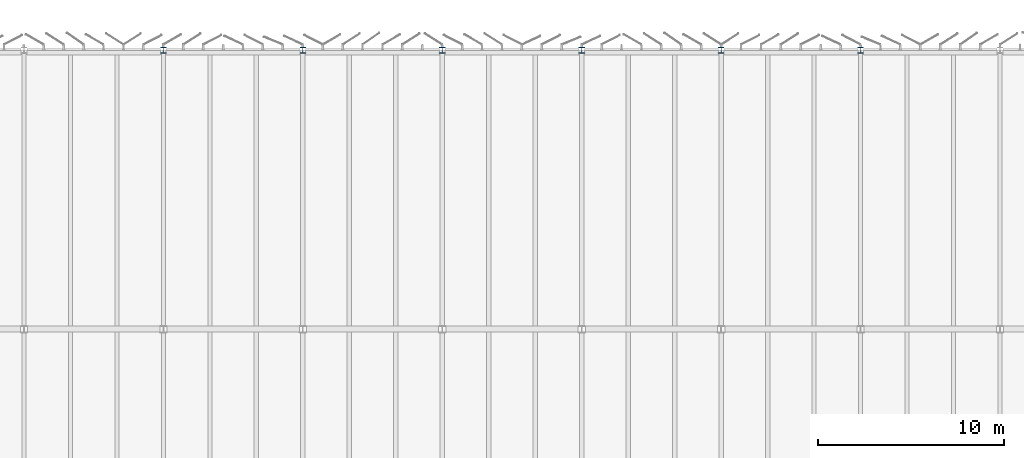
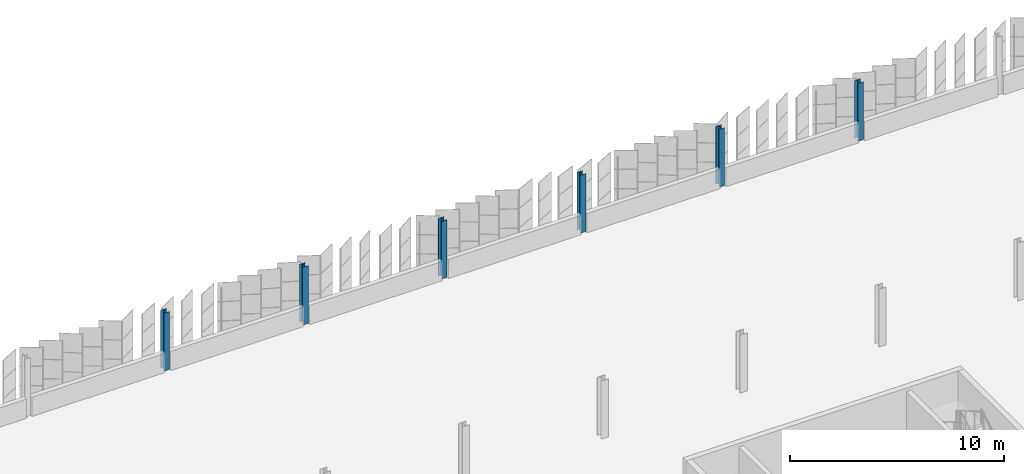
# One storey, part 26 of 199: 6 columns.
"""IFC4 building model written with IfcOpenShell, lengths in metres."""

from ifc_helpers import new_model, si_unit, direction, frame, origin, origin_2d, place, context, subcontext, project, spatial, i_section, extrude, material, material_profile, profile_set, type_object, element, save


model = new_model("IFC4")

# Units and contexts
model_context = context("Model", 3, precision=1e-05, world=origin(), true_north=direction((0.0, 1.0)))
body_context = subcontext(model_context, "Body", "Model", "MODEL_VIEW")
ifc_project = project(units=[si_unit("LENGTHUNIT", "METRE"), si_unit("AREAUNIT", "SQUARE_METRE"), si_unit("VOLUMEUNIT", "CUBIC_METRE"), si_unit("PLANEANGLEUNIT", "RADIAN"), si_unit("MASSUNIT", "GRAM", prefix="KILO")], contexts=[model_context])

# Site, building, storey
site_placement = place(None, origin())
site = spatial("IfcSite", under=ifc_project, at=site_placement, CompositionType="ELEMENT")
building_placement = place(site_placement, origin())
building = spatial("IfcBuilding", under=site, at=building_placement, Name="Parallax Yard Mobility Hub", CompositionType="ELEMENT")
storey_placement = place(building_placement, frame((0.0, 0.0, 9.89990234375)))
storey = spatial("IfcBuildingStorey", under=building, at=storey_placement, Name="L03", CompositionType="ELEMENT", Elevation=9.89990234375)

# Columns
ifc_material = material(Name="Steel ASTM A992", Category="steel")
ifc_material_profile = material_profile(ifc_material, i_section(OverallWidth=0.304931640625, OverallDepth=0.306884765625, WebThickness=0.010009765625, FlangeThickness=0.015380859375, FilletRadius=0.01513671875, at=origin_2d()), Name="W310x97")
ifc_profile_set = profile_set([ifc_material_profile], Name="Steel ASTM A992")
column_type = type_object("IfcColumnType", Name="W310x97 column", PredefinedType="COLUMN", material=ifc_profile_set)
for number, where, z_axis, x_axis, name in (
    (1, (112.5, 142.5, 0.0), (0.0, 0.0, 1.0), (1.0, 0.0, 0.0), "Column C1 level L03 at V/16 of ramped parking decks"),
    (2, (120.0, 142.5, 0.0), (0.0, 0.0, 1.0), (1.0, 0.0, 0.0), "Column C1 level L03 at V/17 of ramped parking decks"),
    (3, (127.5, 142.5, 0.0), (0.0, 0.0, 1.0), (1.0, 0.0, 0.0), "Column C1 level L03 at V/18 of ramped parking decks"),
    (4, (135.0, 142.5, 0.0), (0.0, 0.0, 1.0), (1.0, 0.0, 0.0), "Column C1 level L03 at V/19 of ramped parking decks"),
    (5, (142.5, 142.5, 0.0), (0.0, 0.0, 1.0), (1.0, 0.0, 0.0), "Column C1 level L03 at V/20 of ramped parking decks"),
    (6, (150.0, 142.5, 0.0), (0.0, 0.0, 1.0), (1.0, 0.0, 0.0), "Column C1 level L03 at V/21 of ramped parking decks"),
):
    element("IfcColumn", number, at=place(storey_placement, frame(where, z_axis=z_axis, x_axis=x_axis)), inside=storey, type_object=column_type, Name=name, PredefinedType="COLUMN", context=body_context, shape_type="SweptSolid", body=[
        extrude(i_section(OverallWidth=0.304931640625, OverallDepth=0.306884765625, WebThickness=0.010009765625, FlangeThickness=0.015380859375, FilletRadius=0.01513671875, at=origin_2d()), origin(), (0.0, 0.0, 1.0), 3.300048828125),
    ])

save(model, "model.ifc")
